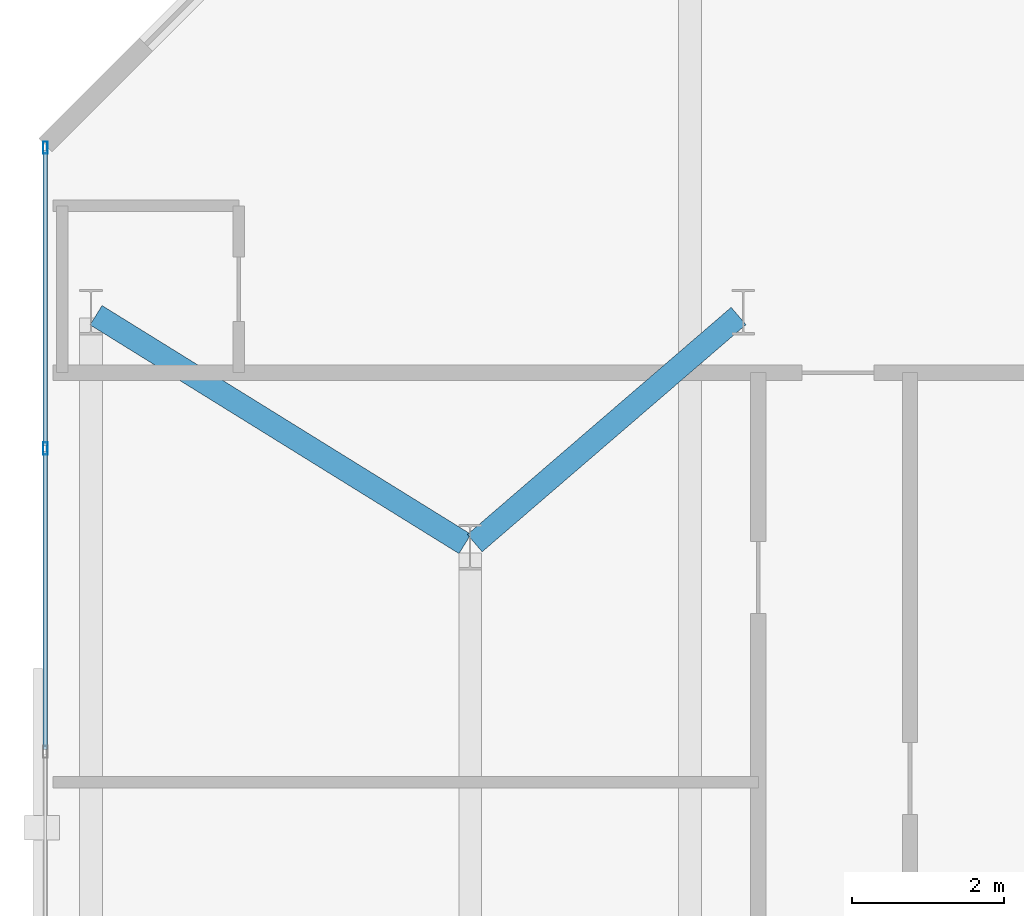
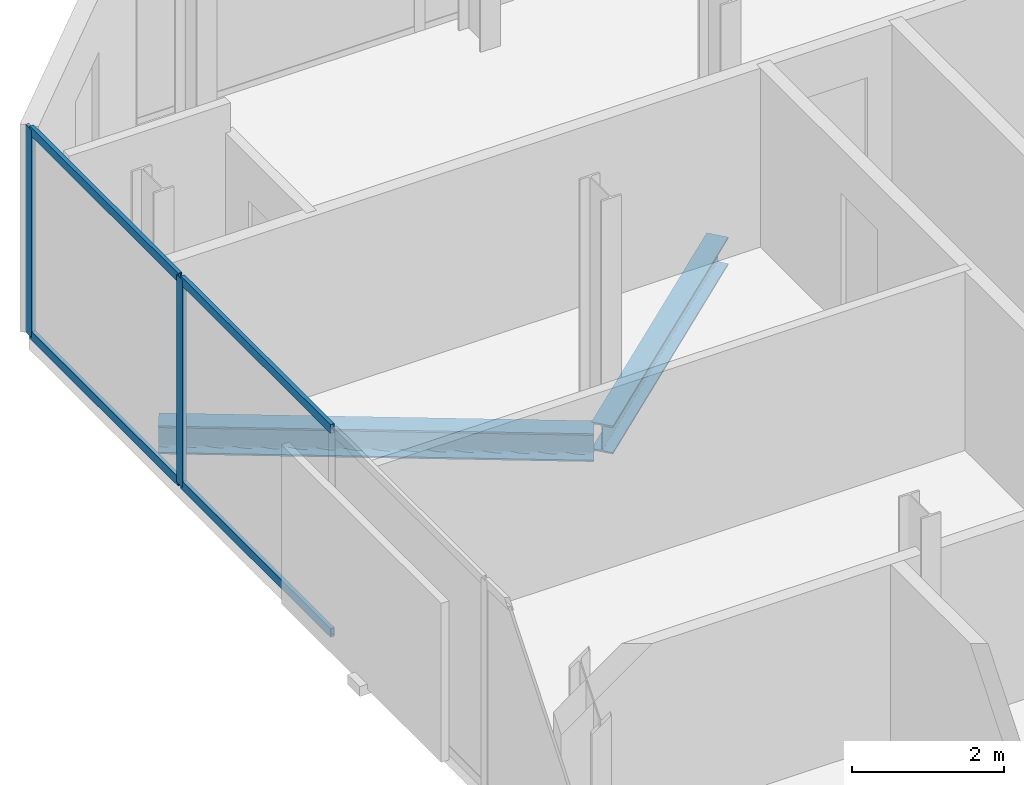
# One storey, part 17 of 32: 6 members, 2 beams, 1 element without a shape of its own.
"""IFC4 building model written with IfcOpenShell, lengths in metres."""

from ifc_helpers import new_model, si_unit, direction, frame, origin, origin_2d, place, context, subcontext, project, spatial, hollow_rectangle, i_section, extrude, material, layer, layer_set, material_profile, profile_set, type_object, element, aggregate, save


model = new_model("IFC4")

# Units and contexts
model_context = context("Model", 3, precision=1e-05, world=origin(), true_north=direction((0.0, 1.0)))
body_context = subcontext(model_context, "Body", "Model", "MODEL_VIEW")
ifc_project = project(units=[si_unit("LENGTHUNIT", "METRE"), si_unit("AREAUNIT", "SQUARE_METRE"), si_unit("VOLUMEUNIT", "CUBIC_METRE"), si_unit("PLANEANGLEUNIT", "RADIAN"), si_unit("MASSUNIT", "GRAM", prefix="KILO")], contexts=[model_context])

# Site, building, storey
site_placement = place(None, origin())
site = spatial("IfcSite", under=ifc_project, at=site_placement, CompositionType="ELEMENT")
building_placement = place(site_placement, origin())
building = spatial("IfcBuilding", under=site, at=building_placement, Name="Catumbela Crestline Tower", CompositionType="ELEMENT")
storey_placement = place(building_placement, frame((0.0, 0.0, 122.4)))
storey = spatial("IfcBuildingStorey", under=building, at=storey_placement, Name="L31", CompositionType="ELEMENT", Elevation=122.4)

# Beams
ifc_material_1 = material(Name="Structural steel S355J2", Category="steel")
ifc_material_profile_1 = material_profile(ifc_material_1, i_section(OverallWidth=0.3, OverallDepth=0.45, WebThickness=0.014, FlangeThickness=0.026, FilletRadius=0.027, at=origin_2d()), Name="HEB 450")
ifc_profile_set_1 = profile_set([ifc_material_profile_1], Name="Structural steel S355J2")
beam_type = type_object("IfcBeamType", Name="BG-HEB450", PredefinedType="BEAM", material=ifc_profile_set_1)
beam_1_placement = place(storey_placement, frame((0.668, 42.2578, -0.485), z_axis=(0.849908952007, -0.526929571479, 0.0), x_axis=(0.526929571479, 0.849908952007, 0.0)))
element("IfcBeam", 1, at=beam_1_placement, inside=storey, type_object=beam_type, Name="L31 Beam BM-L31-N12", PredefinedType="BEAM", context=body_context, shape_type="SweptSolid", body=[
    extrude(i_section(OverallWidth=0.3, OverallDepth=0.45, WebThickness=0.014, FlangeThickness=0.026, FilletRadius=0.027, at=origin_2d()), origin(), (0.0, 0.0, 1.0), 5.723),
])
beam_2_placement = place(storey_placement, frame((5.6606, 39.2522, -0.485), z_axis=(0.757772392559, 0.652518966066, 0.0), x_axis=(-0.652518966066, 0.757772392559, 0.0)))
element("IfcBeam", 2, at=beam_2_placement, inside=storey, type_object=beam_type, Name="L31 Beam BM-L31-N13", PredefinedType="BEAM", context=body_context, shape_type="SweptSolid", body=[
    extrude(i_section(OverallWidth=0.3, OverallDepth=0.45, WebThickness=0.014, FlangeThickness=0.026, FilletRadius=0.027, at=origin_2d()), origin(), (0.0, 0.0, 1.0), 4.5908),
])

# Curtain wall, members
ifc_material_2 = material(Name="Aluminium alloy AW-6060-T66", Category="aluminium")
ifc_layer = layer(ifc_material_2, 0.18, Name="Aluminium alloy AW-6060-T66")
ifc_layer_set = layer_set([ifc_layer], Name="Aluminium alloy AW-6060-T66")
curtain_wall_type = type_object("IfcCurtainWallType", Name="CWU-Z2", PredefinedType="USERDEFINED", material=ifc_layer_set)
curtain_wall_placement = place(storey_placement, origin())
curtain_wall = element("IfcCurtainWall", 3, at=curtain_wall_placement, inside=storey, type_object=curtain_wall_type, Name="L31 Unitised Curtain Wall CW-L31-E9S1", ObjectType="UNITISED", PredefinedType="USERDEFINED")
ifc_material_profile_2 = material_profile(ifc_material_2, hollow_rectangle(XDim=0.06, YDim=0.16, WallThickness=0.004, at=origin_2d()), Name="ALU 160x60x4")
ifc_profile_set_2 = profile_set([ifc_material_profile_2], Name="Aluminium alloy AW-6060-T66")
member_type_1 = type_object("IfcMemberType", Name="MUL-160X60", PredefinedType="MULLION", material=ifc_profile_set_2)
member_1_placement = place(storey_placement, frame((0.0, 44.4675, 0.0), z_axis=(0.0, 0.0, 1.0), x_axis=(1.0, 0.0, 0.0)))
member_1 = element("IfcMember", 4, at=member_1_placement, type_object=member_type_1, Name="CWU-Z2 mullion 1", PredefinedType="MULLION", context=body_context, shape_type="SweptSolid", body=[
    extrude(hollow_rectangle(XDim=0.06, YDim=0.16, WallThickness=0.004, at=origin_2d()), origin(), (0.0, 0.0, 1.0), 3.33),
])
member_2_placement = place(storey_placement, frame((0.0, 40.5, 0.0), z_axis=(0.0, 0.0, 1.0), x_axis=(1.0, 0.0, 0.0)))
member_2 = element("IfcMember", 5, at=member_2_placement, type_object=member_type_1, Name="CWU-Z2 mullion 2", PredefinedType="MULLION", context=body_context, shape_type="SweptSolid", body=[
    extrude(hollow_rectangle(XDim=0.06, YDim=0.16, WallThickness=0.004, at=origin_2d()), origin(), (0.0, 0.0, 1.0), 3.33),
])
ifc_material_profile_3 = material_profile(ifc_material_2, hollow_rectangle(XDim=0.06, YDim=0.14, WallThickness=0.004, at=origin_2d()), Name="ALU 140x60x4")
ifc_profile_set_3 = profile_set([ifc_material_profile_3], Name="Aluminium alloy AW-6060-T66")
member_type_2 = type_object("IfcMemberType", Name="TRN-140X60", PredefinedType="USERDEFINED", material=ifc_profile_set_3)
member_3_placement = place(storey_placement, frame((0.0, 44.435, 0.03), z_axis=(0.0, -1.0, 0.0), x_axis=(1.0, 0.0, 0.0)))
member_3 = element("IfcMember", 6, at=member_3_placement, type_object=member_type_2, Name="CWU-Z2 transom 1.1", ObjectType="TRANSOM", PredefinedType="USERDEFINED", context=body_context, shape_type="SweptSolid", body=[
    extrude(hollow_rectangle(XDim=0.06, YDim=0.14, WallThickness=0.004, at=origin_2d()), origin(), (0.0, 0.0, 1.0), 3.9025),
])
member_4_placement = place(storey_placement, frame((0.0, 44.435, 3.3), z_axis=(0.0, -1.0, 0.0), x_axis=(1.0, 0.0, 0.0)))
member_4 = element("IfcMember", 7, at=member_4_placement, type_object=member_type_2, Name="CWU-Z2 transom 1.2", ObjectType="TRANSOM", PredefinedType="USERDEFINED", context=body_context, shape_type="SweptSolid", body=[
    extrude(hollow_rectangle(XDim=0.06, YDim=0.14, WallThickness=0.004, at=origin_2d()), origin(), (0.0, 0.0, 1.0), 3.9025),
])
member_5_placement = place(storey_placement, frame((0.0, 40.4675, 0.03), z_axis=(0.0, -1.0, 0.0), x_axis=(1.0, 0.0, 0.0)))
member_5 = element("IfcMember", 8, at=member_5_placement, type_object=member_type_2, Name="CWU-Z2 transom 2.1", ObjectType="TRANSOM", PredefinedType="USERDEFINED", context=body_context, shape_type="SweptSolid", body=[
    extrude(hollow_rectangle(XDim=0.06, YDim=0.14, WallThickness=0.004, at=origin_2d()), origin(), (0.0, 0.0, 1.0), 3.935),
])
member_6_placement = place(storey_placement, frame((0.0, 40.4675, 3.3), z_axis=(0.0, -1.0, 0.0), x_axis=(1.0, 0.0, 0.0)))
member_6 = element("IfcMember", 9, at=member_6_placement, type_object=member_type_2, Name="CWU-Z2 transom 2.2", ObjectType="TRANSOM", PredefinedType="USERDEFINED", context=body_context, shape_type="SweptSolid", body=[
    extrude(hollow_rectangle(XDim=0.06, YDim=0.14, WallThickness=0.004, at=origin_2d()), origin(), (0.0, 0.0, 1.0), 3.935),
])
aggregate(curtain_wall, [member_1, member_2, member_3, member_4, member_5, member_6])

save(model, "model.ifc")
